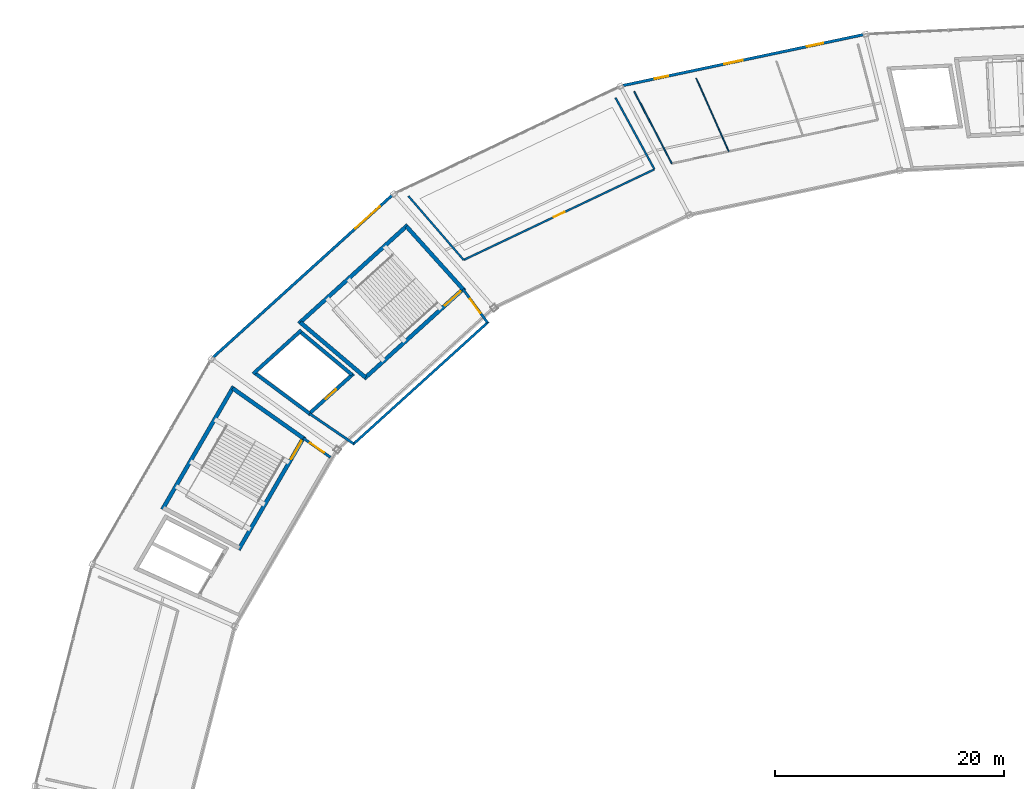
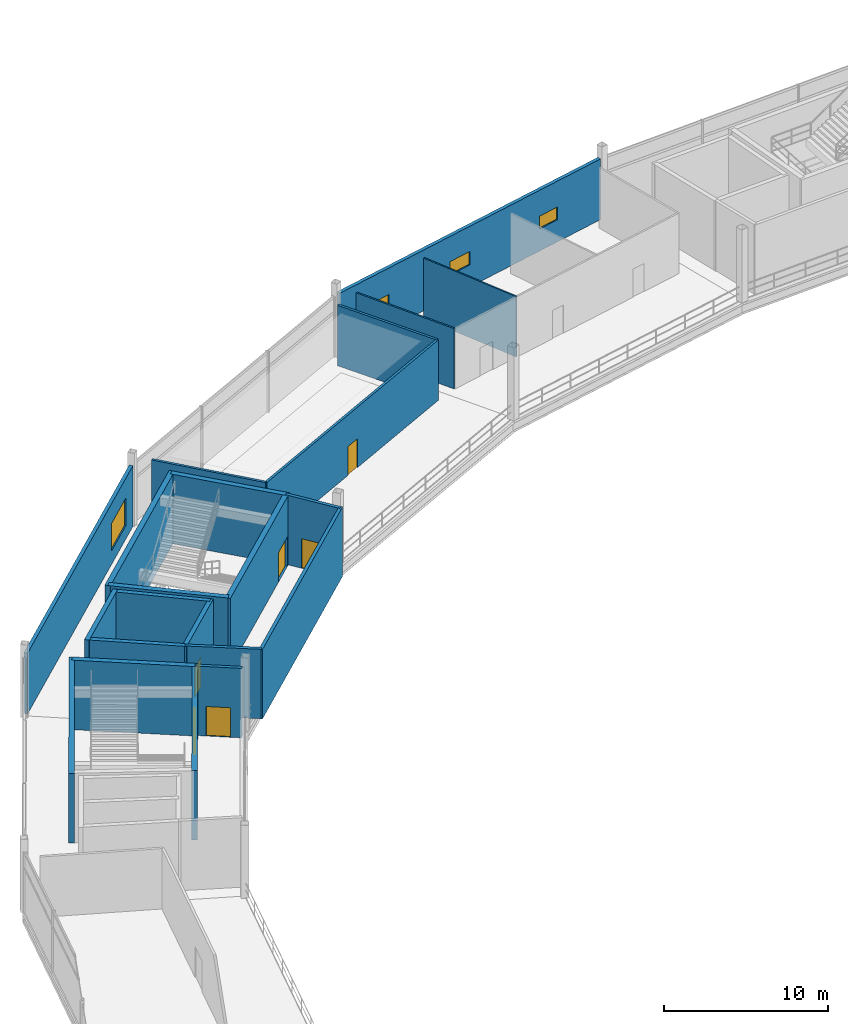
# One storey, part 76 of 103: 22 walls, 6 doors, 4 windows, 10 openings.
"""IFC4 building model written with IfcOpenShell, lengths in metres."""

from ifc_helpers import new_model, si_unit, direction, frame, frame_2d, origin, place, context, subcontext, project, spatial, rectangle, extrude, material, layer, layer_set, type_object, element, fill, save


model = new_model("IFC4")

# Units and contexts
model_context = context("Model", 3, precision=1e-05, world=origin(), true_north=direction((0.0, 1.0)))
body_context = subcontext(model_context, "Body", "Model", "MODEL_VIEW")
ifc_project = project(units=[si_unit("LENGTHUNIT", "METRE"), si_unit("AREAUNIT", "SQUARE_METRE"), si_unit("VOLUMEUNIT", "CUBIC_METRE"), si_unit("PLANEANGLEUNIT", "RADIAN"), si_unit("MASSUNIT", "GRAM", prefix="KILO")], contexts=[model_context])

# Site, building, storey
site_placement = place(None, origin())
site = spatial("IfcSite", under=ifc_project, at=site_placement, CompositionType="ELEMENT")
building_placement = place(site_placement, origin())
building = spatial("IfcBuilding", under=site, at=building_placement, Name="Kazemori Nagisa Stadium", CompositionType="ELEMENT")
storey_placement = place(building_placement, frame((0.0, 0.0, 25.840087890625)))
storey = spatial("IfcBuildingStorey", under=building, at=storey_placement, Name="L05", CompositionType="ELEMENT", Elevation=25.840087890625)

# Wall, opening, door
ifc_material_1 = material(Name="Concrete C40/50 (Fc42)", Category="concrete")
ifc_layer_1 = layer(ifc_material_1, 0.35009765625, Name="Concrete C40/50 (Fc42)", Category="concrete")
ifc_layer_set_1 = layer_set([ifc_layer_1], Name="Concrete C40/50 (Fc42)")
wall_type_1 = type_object("IfcWallType", Name="Wall_W-CORE-350", PredefinedType="SHEAR", material=ifc_layer_set_1)
wall_1_placement = place(storey_placement, frame((66.583251953125, 164.860107421875, 0.0), z_axis=(0.0, 0.0, 1.0), x_axis=(-0.741348929385, -0.671119784315, 0.0)))
wall_1 = element("IfcWall", 1, at=wall_1_placement, inside=storey, type_object=wall_type_1, Name="Core stair front shear wall ST02 L05", PredefinedType="SHEAR", context=body_context, shape_type="SweptSolid", body=[
    extrude(rectangle(XDim=11.826416015625, YDim=0.35009765625, at=frame_2d((5.9130859375, 0.0))), origin(), (0.0, 0.0, 1.0), 5.179931640625),
])
opening_1_placement = place(wall_1_placement, frame((0.47509765625, 0.0, 0.0)))
opening_1 = element("IfcOpeningElement", 2, at=opening_1_placement, cuts=wall_1, Name="Opening D-ST-1800", PredefinedType="OPENING", context=body_context, shape_type="SweptSolid", body=[
    extrude(rectangle(XDim=1.800048828125, YDim=2.199951171875, at=frame_2d((0.89990234375, 1.10009765625))), frame((0.0, 0.18505859375, 0.0), z_axis=(0.0, -1.0, 0.0), x_axis=(1.0, 0.0, 0.0)), (0.0, 0.0, 1.0), 0.3701171875),
])
ifc_material_2 = material(Name="Galvanised steel sheet", Category="steel")
door_type_1 = type_object("IfcDoorType", Name="Door_D-ST-1800", OperationType="NOTDEFINED", PredefinedType="DOOR", material=ifc_material_2)
door_1_placement = place(opening_1_placement, frame((1.800048828125, 0.0, 0.0), z_axis=(0.0, 0.0, 1.0), x_axis=(-1.0, 0.0, 0.0)))
door_1 = element("IfcDoor", 3, at=door_1_placement, inside=storey, type_object=door_type_1, Name="Exit stair fire door ST02-L05", OperationType="SINGLE_SWING_RIGHT", OverallHeight=2.199951171875, OverallWidth=1.800048828125, PredefinedType="DOOR", context=body_context, shape_type="SweptSolid", body=[
    extrude(rectangle(XDim=1.800048828125, YDim=2.199951171875, at=frame_2d((0.89990234375, 1.10009765625))), frame((0.0, 0.02490234375, 0.0), z_axis=(0.0, -1.0, 0.0), x_axis=(1.0, 0.0, 0.0)), (0.0, 0.0, 1.0), 0.050048828125),
])
fill(opening_1, door_1)

# Walls
wall_2_placement = place(storey_placement, frame((61.638671875, 170.3466796875, 0.0), z_axis=(0.0, 0.0, 1.0), x_axis=(-0.741351373721, -0.671117084183, 0.0)))
element("IfcWall", 4, at=wall_2_placement, inside=storey, type_object=wall_type_1, Name="Core stair rear shear wall ST02 L05", PredefinedType="SHEAR", context=body_context, shape_type="SweptSolid", body=[
    extrude(rectangle(XDim=12.830322265625, YDim=0.35009765625, at=frame_2d((6.4150390625, 0.0))), origin(), (0.0, 0.0, 1.0), 5.179931640625),
])
wall_3_placement = place(storey_placement, frame((66.45361328125, 164.74267578125, 0.0), z_axis=(0.0, 0.0, 1.0), x_axis=(-0.669463145673, 0.742845270958, 0.0)))
element("IfcWall", 5, at=wall_3_placement, inside=storey, type_object=wall_type_1, Name="Core stair left shear wall ST02 L05", PredefinedType="SHEAR", context=body_context, shape_type="SweptSolid", body=[
    extrude(rectangle(XDim=7.385986328125, YDim=0.35009765625, at=frame_2d((3.69287109375, 0.0))), origin(), (0.0, 0.0, 1.0), 5.179931640625),
])
wall_4_placement = place(storey_placement, frame((57.9453125, 157.04052734375, 0.0), z_axis=(0.0, 0.0, 1.0), x_axis=(-0.763422324031, 0.64589964791, 0.0)))
element("IfcWall", 6, at=wall_4_placement, inside=storey, type_object=wall_type_1, Name="Core stair right shear wall ST02 L05", PredefinedType="SHEAR", context=body_context, shape_type="SweptSolid", body=[
    extrude(rectangle(XDim=7.45166015625, YDim=0.35009765625, at=frame_2d((3.725830078125, 0.0))), origin(), (0.0, 0.0, 1.0), 5.179931640625),
])

# Wall, opening, door
wall_5_placement = place(storey_placement, frame((52.6064453125, 151.89990234375, 0.0), z_axis=(0.0, 0.0, 1.0), x_axis=(-0.501587404838, -0.865106973332, 0.0)))
wall_5 = element("IfcWall", 7, at=wall_5_placement, inside=storey, type_object=wall_type_1, Name="Core stair front shear wall ST08 L05", PredefinedType="SHEAR", context=body_context, shape_type="SweptSolid", body=[
    extrude(rectangle(XDim=11.435302734375, YDim=0.35009765625, at=frame_2d((5.7177734375, 0.0))), origin(), (0.0, 0.0, 1.0), 5.179931640625),
])
opening_2_placement = place(wall_5_placement, frame((0.47509765625, 0.0, 0.0)))
opening_2 = element("IfcOpeningElement", 8, at=opening_2_placement, cuts=wall_5, Name="Opening D-ST-1800", PredefinedType="OPENING", context=body_context, shape_type="SweptSolid", body=[
    extrude(rectangle(XDim=1.800048828125, YDim=2.199951171875, at=frame_2d((0.89990234375, 1.10009765625))), frame((0.0, 0.18505859375, 0.0), z_axis=(0.0, -1.0, 0.0), x_axis=(1.0, 0.0, 0.0)), (0.0, 0.0, 1.0), 0.3701171875),
])
door_2_placement = place(opening_2_placement, frame((1.800048828125, 0.0, 0.0), z_axis=(0.0, 0.0, 1.0), x_axis=(-1.0, 0.0, 0.0)))
door_2 = element("IfcDoor", 9, at=door_2_placement, inside=storey, type_object=door_type_1, Name="Exit stair fire door ST08-L05", OperationType="SINGLE_SWING_RIGHT", OverallHeight=2.199951171875, OverallWidth=1.800048828125, PredefinedType="DOOR", context=body_context, shape_type="SweptSolid", body=[
    extrude(rectangle(XDim=1.800048828125, YDim=2.199951171875, at=frame_2d((0.89990234375, 1.10009765625))), frame((0.0, 0.02490234375, 0.0), z_axis=(0.0, -1.0, 0.0), x_axis=(1.0, 0.0, 0.0)), (0.0, 0.0, 1.0), 0.050048828125),
])
fill(opening_2, door_2)

# Walls
wall_6_placement = place(storey_placement, frame((46.443359375, 156.25, 0.0), z_axis=(0.0, 0.0, 1.0), x_axis=(-0.501601740165, -0.865098661577, 0.0)))
element("IfcWall", 10, at=wall_6_placement, inside=storey, type_object=wall_type_1, Name="Core stair rear shear wall ST08 L05", PredefinedType="SHEAR", context=body_context, shape_type="SweptSolid", body=[
    extrude(rectangle(XDim=12.404541015625, YDim=0.35009765625, at=frame_2d((6.2021484375, 0.0))), origin(), (0.0, 0.0, 1.0), 5.179931640625),
])
wall_7_placement = place(storey_placement, frame((52.518798828125, 151.748291015625, 0.0), z_axis=(0.0, 0.0, 1.0), x_axis=(-0.816983109824, 0.576661597701, 0.0)))
element("IfcWall", 11, at=wall_7_placement, inside=storey, type_object=wall_type_1, Name="Core stair left shear wall ST08 L05", PredefinedType="SHEAR", context=body_context, shape_type="SweptSolid", body=[
    extrude(rectangle(XDim=7.5439453125, YDim=0.35009765625, at=frame_2d((3.77197265625, 0.0))), origin(), (0.0, 0.0, 1.0), 5.179931640625),
])

# Wall, openings, windows
ifc_material_3 = material(Name="Steel S355 (SN490B)", Category="steel")
ifc_layer_2 = layer(ifc_material_3, 0.239990234375, Name="Steel S355 (SN490B)", Category="steel")
ifc_layer_set_2 = layer_set([ifc_layer_2], Name="Steel S355 (SN490B)")
wall_type_2 = type_object("IfcWallType", Name="Wall_W-EXT-240", PredefinedType="SOLIDWALL", material=ifc_layer_set_2)
wall_8_placement = place(storey_placement, frame((101.357177734375, 186.94140625, 0.0), z_axis=(0.0, 0.0, 1.0), x_axis=(-0.978344108288, -0.206985037572, 0.0)))
wall_8 = element("IfcWall", 12, at=wall_8_placement, inside=storey, type_object=wall_type_2, Name="Exterior facade wall L05-09", PredefinedType="SOLIDWALL", context=body_context, shape_type="SweptSolid", body=[
    extrude(rectangle(XDim=21.410400390625, YDim=0.239990234375, at=frame_2d((10.705078125, 0.0))), origin(), (0.0, 0.0, 1.0), 4.530029296875),
])
opening_3_placement = place(wall_8_placement, frame((3.556884765625, 0.0, 1.64990234375)))
opening_3 = element("IfcOpeningElement", 13, at=opening_3_placement, cuts=wall_8, Name="Opening WIN-WC-1450", PredefinedType="OPENING", context=body_context, shape_type="SweptSolid", body=[
    extrude(rectangle(XDim=1.449951171875, YDim=0.949951171875, at=frame_2d((0.72509765625, 0.47509765625))), frame((0.0, 0.1298828125, 0.0), z_axis=(0.0, -1.0, 0.0), x_axis=(1.0, 0.0, 0.0)), (0.0, 0.0, 1.0), 0.260009765625),
])
opening_4_placement = place(wall_8_placement, frame((10.737060546875, 0.0, 1.64990234375)))
opening_4 = element("IfcOpeningElement", 14, at=opening_4_placement, cuts=wall_8, Name="Opening WIN-WC-1650", PredefinedType="OPENING", context=body_context, shape_type="SweptSolid", body=[
    extrude(rectangle(XDim=1.64990234375, YDim=1.0, at=frame_2d((0.824951171875, 0.5))), frame((0.0, 0.1298828125, 0.0), z_axis=(0.0, -1.0, 0.0), x_axis=(1.0, 0.0, 0.0)), (0.0, 0.0, 1.0), 0.260009765625),
])
opening_5_placement = place(wall_8_placement, frame((17.385009765625, 0.0, 1.64990234375)))
opening_5 = element("IfcOpeningElement", 15, at=opening_5_placement, cuts=wall_8, Name="Opening WIN-WC-1200", PredefinedType="OPENING", context=body_context, shape_type="SweptSolid", body=[
    extrude(rectangle(XDim=1.199951171875, YDim=0.89990234375, at=frame_2d((0.60009765625, 0.449951171875))), frame((0.0, 0.1298828125, 0.0), z_axis=(0.0, -1.0, 0.0), x_axis=(1.0, 0.0, 0.0)), (0.0, 0.0, 1.0), 0.260009765625),
])
ifc_material_4 = material(Name="Low-e laminated double glazing", Category="glass")
window_type_1 = type_object("IfcWindowType", Name="Window_WIN-WC-1200", PartitioningType="SINGLE_PANEL", PredefinedType="WINDOW", material=ifc_material_4)
window_1_placement = place(opening_5_placement, origin())
window_1 = element("IfcWindow", 16, at=window_1_placement, inside=storey, type_object=window_type_1, Name="Sanitary clerestory window L05-09-3", OverallHeight=0.89990234375, OverallWidth=1.199951171875, PartitioningType="SINGLE_PANEL", PredefinedType="WINDOW", context=body_context, shape_type="SweptSolid", body=[
    extrude(rectangle(XDim=1.199951171875, YDim=0.89990234375, at=frame_2d((0.60009765625, 0.449951171875))), frame((0.0, 0.030029296875, 0.0), z_axis=(0.0, -1.0, 0.0), x_axis=(1.0, 0.0, 0.0)), (0.0, 0.0, 1.0), 0.06005859375),
])
fill(opening_5, window_1)
window_type_2 = type_object("IfcWindowType", Name="Window_WIN-WC-1450", PartitioningType="SINGLE_PANEL", PredefinedType="WINDOW", material=ifc_material_4)
window_2_placement = place(opening_3_placement, origin())
window_2 = element("IfcWindow", 17, at=window_2_placement, inside=storey, type_object=window_type_2, Name="Sanitary clerestory window L05-09-1", OverallHeight=0.949951171875, OverallWidth=1.449951171875, PartitioningType="SINGLE_PANEL", PredefinedType="WINDOW", context=body_context, shape_type="SweptSolid", body=[
    extrude(rectangle(XDim=1.449951171875, YDim=0.949951171875, at=frame_2d((0.72509765625, 0.47509765625))), frame((0.0, 0.030029296875, 0.0), z_axis=(0.0, -1.0, 0.0), x_axis=(1.0, 0.0, 0.0)), (0.0, 0.0, 1.0), 0.06005859375),
])
fill(opening_3, window_2)
window_type_3 = type_object("IfcWindowType", Name="Window_WIN-WC-1650", PartitioningType="SINGLE_PANEL", PredefinedType="WINDOW", material=ifc_material_4)
window_3_placement = place(opening_4_placement, origin())
window_3 = element("IfcWindow", 18, at=window_3_placement, inside=storey, type_object=window_type_3, Name="Sanitary clerestory window L05-09-2", OverallHeight=1.0, OverallWidth=1.64990234375, PartitioningType="SINGLE_PANEL", PredefinedType="WINDOW", context=body_context, shape_type="SweptSolid", body=[
    extrude(rectangle(XDim=1.64990234375, YDim=1.0, at=frame_2d((0.824951171875, 0.5))), frame((0.0, 0.030029296875, 0.0), z_axis=(0.0, -1.0, 0.0), x_axis=(1.0, 0.0, 0.0)), (0.0, 0.0, 1.0), 0.06005859375),
])
fill(opening_4, window_3)

# Wall, opening, window
wall_9_placement = place(storey_placement, frame((60.239013671875, 172.911376953125, 0.0), z_axis=(0.0, 0.0, 1.0), x_axis=(-0.741349049196, -0.671119651967, 0.0)))
wall_9 = element("IfcWall", 19, at=wall_9_placement, inside=storey, type_object=wall_type_2, Name="Exterior facade wall L05-11", PredefinedType="SOLIDWALL", context=body_context, shape_type="SweptSolid", body=[
    extrude(rectangle(XDim=21.00390625, YDim=0.239990234375, at=frame_2d((10.501953125, 0.0))), origin(), (0.0, 0.0, 1.0), 4.530029296875),
])
opening_6_placement = place(wall_9_placement, frame((1.39990234375, 0.0, 1.0)))
opening_6 = element("IfcOpeningElement", 20, at=opening_6_placement, cuts=wall_9, Name="Opening WIN-L05-2900", PredefinedType="OPENING", context=body_context, shape_type="SweptSolid", body=[
    extrude(rectangle(XDim=2.89990234375, YDim=2.050048828125, at=frame_2d((1.449951171875, 1.02490234375))), frame((0.0, 0.1298828125, 0.0), z_axis=(0.0, -1.0, 0.0), x_axis=(1.0, 0.0, 0.0)), (0.0, 0.0, 1.0), 0.260009765625),
])
window_type_4 = type_object("IfcWindowType", Name="Window_WIN-L05-2900", PartitioningType="SINGLE_PANEL", PredefinedType="WINDOW", material=ifc_material_4)
window_4_placement = place(opening_6_placement, origin())
window_4 = element("IfcWindow", 21, at=window_4_placement, inside=storey, type_object=window_type_4, Name="Core lobby window L05-11", OverallHeight=2.050048828125, OverallWidth=2.89990234375, PartitioningType="SINGLE_PANEL", PredefinedType="WINDOW", context=body_context, shape_type="SweptSolid", body=[
    extrude(rectangle(XDim=2.89990234375, YDim=2.050048828125, at=frame_2d((1.449951171875, 1.02490234375))), frame((0.0, 0.030029296875, 0.0), z_axis=(0.0, -1.0, 0.0), x_axis=(1.0, 0.0, 0.0)), (0.0, 0.0, 1.0), 0.06005859375),
])
fill(opening_6, window_4)

# Wall
ifc_material_5 = material(Name="Concrete C36/45 (Fc36)", Category="concrete")
ifc_layer_3 = layer(ifc_material_5, 0.219970703125, Name="Concrete C36/45 (Fc36)", Category="concrete")
ifc_layer_set_3 = layer_set([ifc_layer_3], Name="Concrete C36/45 (Fc36)")
wall_type_3 = type_object("IfcWallType", Name="Wall_W-LOBBY-220", PredefinedType="SOLIDWALL", material=ifc_layer_set_3)
wall_10_placement = place(storey_placement, frame((68.672607421875, 161.89794921875, 0.0), z_axis=(0.0, 0.0, 1.0), x_axis=(-0.741351035574, -0.671117457717, 0.0)))
element("IfcWall", 22, at=wall_10_placement, inside=storey, type_object=wall_type_3, Name="Core lobby fire wall ST02 L05", PredefinedType="SOLIDWALL", context=body_context, shape_type="SweptSolid", body=[
    extrude(rectangle(XDim=15.96923828125, YDim=0.219970703125, at=frame_2d((7.984619140625, 0.0))), origin(), (0.0, 0.0, 1.0), 5.179931640625),
])

# Wall, opening, door
wall_11_placement = place(storey_placement, frame((68.591064453125, 161.823974609375, 0.0), z_axis=(0.0, 0.0, 1.0), x_axis=(-0.590836915359, 0.806791013491, 0.0)))
wall_11 = element("IfcWall", 23, at=wall_11_placement, inside=storey, type_object=wall_type_3, Name="Core lobby left wall ST02 L05", PredefinedType="SOLIDWALL", context=body_context, shape_type="SweptSolid", body=[
    extrude(rectangle(XDim=3.61767578125, YDim=0.219970703125, at=frame_2d((1.808837890625, 0.0))), origin(), (0.0, 0.0, 1.0), 5.179931640625),
])
opening_7_placement = place(wall_11_placement, frame((1.05908203125, 0.0, 0.0)))
opening_7 = element("IfcOpeningElement", 24, at=opening_7_placement, cuts=wall_11, Name="Opening D-FFL-1500", PredefinedType="OPENING", context=body_context, shape_type="SweptSolid", body=[
    extrude(rectangle(XDim=1.5, YDim=2.199951171875, at=frame_2d((0.75, 1.10009765625))), frame((0.0, 0.119873046875, 0.0), z_axis=(0.0, -1.0, 0.0), x_axis=(1.0, 0.0, 0.0)), (0.0, 0.0, 1.0), 0.239990234375),
])
door_type_2 = type_object("IfcDoorType", Name="Door_D-FFL-1500", OperationType="NOTDEFINED", PredefinedType="DOOR", material=ifc_material_2)
door_3_placement = place(opening_7_placement, frame((1.5, 0.0, 0.0), z_axis=(0.0, 0.0, 1.0), x_axis=(-1.0, 0.0, 0.0)))
door_3 = element("IfcDoor", 25, at=door_3_placement, inside=storey, type_object=door_type_2, Name="Protected lobby fire door ST02-L05", OperationType="DOUBLE_DOOR_SINGLE_SWING", OverallHeight=2.199951171875, OverallWidth=1.5, PredefinedType="DOOR", context=body_context, shape_type="SweptSolid", body=[
    extrude(rectangle(XDim=1.5, YDim=2.199951171875, at=frame_2d((0.75, 1.10009765625))), frame((0.0, 0.02490234375, 0.0), z_axis=(0.0, -1.0, 0.0), x_axis=(1.0, 0.0, 0.0)), (0.0, 0.0, 1.0), 0.050048828125),
])
fill(opening_7, door_3)

# Wall
wall_12_placement = place(storey_placement, frame((56.915283203125, 151.25439453125, 0.0), z_axis=(0.0, 0.0, 1.0), x_axis=(-0.825385410642, 0.564569680287, 0.0)))
element("IfcWall", 26, at=wall_12_placement, inside=storey, type_object=wall_type_3, Name="Core lobby right wall ST02 L05", PredefinedType="SOLIDWALL", context=body_context, shape_type="SweptSolid", body=[
    extrude(rectangle(XDim=4.673828125, YDim=0.219970703125, at=frame_2d((2.3369140625, 0.0))), origin(), (0.0, 0.0, 1.0), 5.179931640625),
])

# Wall, opening, door
wall_13_placement = place(storey_placement, frame((54.88916015625, 150.0751953125, 0.0), z_axis=(0.0, 0.0, 1.0), x_axis=(-0.816984187086, 0.57666007149, 0.0)))
wall_13 = element("IfcWall", 27, at=wall_13_placement, inside=storey, type_object=wall_type_3, Name="Core lobby left wall ST08 L05", PredefinedType="SOLIDWALL", context=body_context, shape_type="SweptSolid", body=[
    extrude(rectangle(XDim=2.9013671875, YDim=0.219970703125, at=frame_2d((1.45068359375, 0.0))), origin(), (0.0, 0.0, 1.0), 5.179931640625),
])
opening_8_placement = place(wall_13_placement, frame((0.700927734375, 0.0, 0.0)))
opening_8 = element("IfcOpeningElement", 28, at=opening_8_placement, cuts=wall_13, Name="Opening D-FFL-1500", PredefinedType="OPENING", context=body_context, shape_type="SweptSolid", body=[
    extrude(rectangle(XDim=1.5, YDim=2.199951171875, at=frame_2d((0.75, 1.10009765625))), frame((0.0, 0.119873046875, 0.0), z_axis=(0.0, -1.0, 0.0), x_axis=(1.0, 0.0, 0.0)), (0.0, 0.0, 1.0), 0.239990234375),
])
door_4_placement = place(opening_8_placement, frame((1.5, 0.0, 0.0), z_axis=(0.0, 0.0, 1.0), x_axis=(-1.0, 0.0, 0.0)))
door_4 = element("IfcDoor", 29, at=door_4_placement, inside=storey, type_object=door_type_2, Name="Protected lobby fire door ST08-L05", OperationType="DOUBLE_DOOR_SINGLE_SWING", OverallHeight=2.199951171875, OverallWidth=1.5, PredefinedType="DOOR", context=body_context, shape_type="SweptSolid", body=[
    extrude(rectangle(XDim=1.5, YDim=2.199951171875, at=frame_2d((0.75, 1.10009765625))), frame((0.0, 0.02490234375, 0.0), z_axis=(0.0, -1.0, 0.0), x_axis=(1.0, 0.0, 0.0)), (0.0, 0.0, 1.0), 0.050048828125),
])
fill(opening_8, door_4)

# Walls
ifc_material_6 = material(Name="High-pressure phenolic compact laminate", Category="gypsum")
ifc_layer_4 = layer(ifc_material_6, 0.10009765625, Name="High-pressure phenolic compact laminate", Category="gypsum")
ifc_layer_set_4 = layer_set([ifc_layer_4], Name="High-pressure phenolic compact laminate")
wall_type_4 = type_object("IfcWallType", Name="Wall_W-PART-100", PredefinedType="PARTITIONING", material=ifc_layer_set_4)
wall_14_placement = place(storey_placement, frame((89.63720703125, 176.76318359375, 0.0), z_axis=(0.0, 0.0, 1.0), x_axis=(-0.407519198448, 0.913196639775, 0.0)))
element("IfcWall", 30, at=wall_14_placement, inside=storey, type_object=wall_type_4, Name="Sanitary divider partition L05-B09-2", PredefinedType="PARTITIONING", context=body_context, shape_type="SweptSolid", body=[
    extrude(rectangle(XDim=6.986572265625, YDim=0.10009765625, at=frame_2d((3.4931640625, 0.0))), origin(), (0.0, 0.0, 1.0), 4.5),
])
ifc_material_7 = material(Name="Moisture-resistant gypsum board", Category="gypsum")
ifc_layer_5 = layer(ifc_material_7, 0.114990234375, Name="Moisture-resistant gypsum board", Category="gypsum")
ifc_layer_set_5 = layer_set([ifc_layer_5], Name="Moisture-resistant gypsum board")
wall_type_5 = type_object("IfcWallType", Name="Wall_W-PART-115", PredefinedType="PARTITIONING", material=ifc_layer_set_5)
wall_15_placement = place(storey_placement, frame((84.657958984375, 175.709716796875, 0.0), z_axis=(0.0, 0.0, 1.0), x_axis=(-0.461466568794, 0.887157599238, 0.0)))
element("IfcWall", 31, at=wall_15_placement, inside=storey, type_object=wall_type_5, Name="Sanitary block R partition L05-B09", PredefinedType="PARTITIONING", context=body_context, shape_type="SweptSolid", body=[
    extrude(rectangle(XDim=7.09033203125, YDim=0.114990234375, at=frame_2d((3.545166015625, 0.0))), origin(), (0.0, 0.0, 1.0), 4.5),
])

# Wall, opening, door
ifc_material_8 = material(Name="Gypsum plasterboard", Category="gypsum")
ifc_layer_6 = layer(ifc_material_8, 0.1650390625, Name="Gypsum plasterboard", Category="gypsum")
ifc_layer_set_6 = layer_set([ifc_layer_6], Name="Gypsum plasterboard")
wall_type_6 = type_object("IfcWallType", Name="Wall_W-PART-165", PredefinedType="PARTITIONING", material=ifc_layer_set_6)
wall_16_placement = place(storey_placement, frame((83.15283203125, 175.200439453125, 0.0), z_axis=(0.0, 0.0, 1.0), x_axis=(-0.90321677741, -0.429184637429, 0.0)))
wall_16 = element("IfcWall", 32, at=wall_16_placement, inside=storey, type_object=wall_type_6, Name="Room corridor partition L05-B10", PredefinedType="PARTITIONING", context=body_context, shape_type="SweptSolid", body=[
    extrude(rectangle(XDim=18.42724609375, YDim=0.1650390625, at=frame_2d((9.213623046875, 0.0))), origin(), (0.0, 0.0, 1.0), 4.5),
])
opening_9_placement = place(wall_16_placement, frame((8.694091796875, 0.0, 0.0)))
opening_9 = element("IfcOpeningElement", 33, at=opening_9_placement, cuts=wall_16, Name="Opening D-OPS-1040", PredefinedType="OPENING", context=body_context, shape_type="SweptSolid", body=[
    extrude(rectangle(XDim=1.0400390625, YDim=2.14990234375, at=frame_2d((0.52001953125, 1.074951171875))), frame((0.0, 0.092529296875, 0.0), z_axis=(0.0, -1.0, 0.0), x_axis=(1.0, 0.0, 0.0)), (0.0, 0.0, 1.0), 0.18505859375),
])
ifc_material_9 = material(Name="Oak timber veneer", Category="wood")
door_type_3 = type_object("IfcDoorType", Name="Door_D-OPS-1040", OperationType="NOTDEFINED", PredefinedType="DOOR", material=ifc_material_9)
door_5_placement = place(opening_9_placement, origin())
door_5 = element("IfcDoor", 34, at=door_5_placement, inside=storey, type_object=door_type_3, Name="Room entrance door D-OPS-1040 L05-B10", OperationType="SINGLE_SWING_LEFT", OverallHeight=2.14990234375, OverallWidth=1.0400390625, PredefinedType="DOOR", context=body_context, shape_type="SweptSolid", body=[
    extrude(rectangle(XDim=1.0400390625, YDim=2.14990234375, at=frame_2d((0.52001953125, 1.074951171875))), frame((0.0, 0.02490234375, 0.0), z_axis=(0.0, -1.0, 0.0), x_axis=(1.0, 0.0, 0.0)), (0.0, 0.0, 1.0), 0.050048828125),
])
fill(opening_9, door_5)

# Walls
wall_17_placement = place(storey_placement, frame((83.15283203125, 175.200439453125, 0.0), z_axis=(0.0, 0.0, 1.0), x_axis=(-0.47812325427, 0.878292749444, 0.0)))
element("IfcWall", 35, at=wall_17_placement, inside=storey, type_object=wall_type_6, Name="Room radial partition L05-B10-L", PredefinedType="PARTITIONING", context=body_context, shape_type="SweptSolid", body=[
    extrude(rectangle(XDim=7.112548828125, YDim=0.1650390625, at=frame_2d((3.55615234375, 0.0))), origin(), (0.0, 0.0, 1.0), 4.5),
])
wall_18_placement = place(storey_placement, frame((66.509033203125, 167.291748046875, 0.0), z_axis=(0.0, 0.0, 1.0), x_axis=(-0.654288201841, 0.7562452968, 0.0)))
element("IfcWall", 36, at=wall_18_placement, inside=storey, type_object=wall_type_6, Name="Room radial partition L05-B10-R", PredefinedType="PARTITIONING", context=body_context, shape_type="SweptSolid", body=[
    extrude(rectangle(XDim=7.367919921875, YDim=0.1650390625, at=frame_2d((3.68408203125, 0.0))), origin(), (0.0, 0.0, 1.0), 4.5),
])

# Wall, opening, door
ifc_layer_7 = layer(ifc_material_1, 0.300048828125, Name="Concrete C40/50 (Fc42)", Category="concrete")
ifc_layer_set_7 = layer_set([ifc_layer_7], Name="Concrete C40/50 (Fc42)")
wall_type_7 = type_object("IfcWallType", Name="Wall_W-SHAFT-300", PredefinedType="SHEAR", material=ifc_layer_set_7)
wall_19_placement = place(storey_placement, frame((56.89697265625, 157.368896484375, 0.0), z_axis=(0.0, 0.0, 1.0), x_axis=(-0.741350155641, -0.671118429736, 0.0)))
wall_19 = element("IfcWall", 37, at=wall_19_placement, inside=storey, type_object=wall_type_7, Name="Lift shaft front wall FL2 L05", PredefinedType="SHEAR", context=body_context, shape_type="SweptSolid", body=[
    extrude(rectangle(XDim=5.3291015625, YDim=0.300048828125, at=frame_2d((2.66455078125, 0.0))), origin(), (0.0, 0.0, 1.0), 5.179931640625),
])
opening_10_placement = place(wall_19_placement, frame((2.06494140625, 0.0, 0.0)))
opening_10 = element("IfcOpeningElement", 38, at=opening_10_placement, cuts=wall_19, Name="Opening LD-FF", PredefinedType="OPENING", context=body_context, shape_type="SweptSolid", body=[
    extrude(rectangle(XDim=1.199951171875, YDim=2.199951171875, at=frame_2d((0.60009765625, 1.10009765625))), frame((0.0, 0.159912109375, 0.0), z_axis=(0.0, -1.0, 0.0), x_axis=(1.0, 0.0, 0.0)), (0.0, 0.0, 1.0), 0.320068359375),
])
ifc_material_10 = material(Name="Stainless steel SUS304", Category="steel")
door_type_4 = type_object("IfcDoorType", Name="Door_LD-FF", OperationType="SLIDING_TO_LEFT", PredefinedType="DOOR", material=ifc_material_10)
door_6_placement = place(opening_10_placement, origin())
door_6 = element("IfcDoor", 39, at=door_6_placement, inside=storey, type_object=door_type_4, Name="Lift landing door FL2-L05", OperationType="SLIDING_TO_LEFT", OverallHeight=2.199951171875, OverallWidth=1.199951171875, PredefinedType="DOOR", context=body_context, shape_type="SweptSolid", body=[
    extrude(rectangle(XDim=1.199951171875, YDim=2.199951171875, at=frame_2d((0.60009765625, 1.10009765625))), frame((0.0, 0.02490234375, 0.0), z_axis=(0.0, -1.0, 0.0), x_axis=(1.0, 0.0, 0.0)), (0.0, 0.0, 1.0), 0.050048828125),
])
fill(opening_10, door_6)

# Walls
wall_20_placement = place(storey_placement, frame((52.345703125, 161.167724609375, 0.0), z_axis=(0.0, 0.0, 1.0), x_axis=(-0.74134208775, -0.671127341815, 0.0)))
element("IfcWall", 40, at=wall_20_placement, inside=storey, type_object=wall_type_7, Name="Lift shaft B wall FL2 L05", PredefinedType="SHEAR", context=body_context, shape_type="SweptSolid", body=[
    extrude(rectangle(XDim=5.674560546875, YDim=0.300048828125, at=frame_2d((2.83740234375, 0.0))), origin(), (0.0, 0.0, 1.0), 5.179931640625),
])
wall_21_placement = place(storey_placement, frame((56.785888671875, 157.26806640625, 0.0), z_axis=(0.0, 0.0, 1.0), x_axis=(-0.767711354146, 0.640795815151, 0.0)))
element("IfcWall", 41, at=wall_21_placement, inside=storey, type_object=wall_type_7, Name="Lift shaft L wall FL2 L05", PredefinedType="SHEAR", context=body_context, shape_type="SweptSolid", body=[
    extrude(rectangle(XDim=5.9287109375, YDim=0.300048828125, at=frame_2d((2.96435546875, 0.0))), origin(), (0.0, 0.0, 1.0), 5.179931640625),
])
wall_22_placement = place(storey_placement, frame((53.0576171875, 153.89306640625, 0.0), z_axis=(0.0, 0.0, 1.0), x_axis=(-0.803101805449, 0.59584183311, 0.0)))
element("IfcWall", 42, at=wall_22_placement, inside=storey, type_object=wall_type_7, Name="Lift shaft R wall FL2 L05", PredefinedType="SHEAR", context=body_context, shape_type="SweptSolid", body=[
    extrude(rectangle(XDim=5.986328125, YDim=0.300048828125, at=frame_2d((2.9931640625, 0.0))), origin(), (0.0, 0.0, 1.0), 5.179931640625),
])

save(model, "model.ifc")
